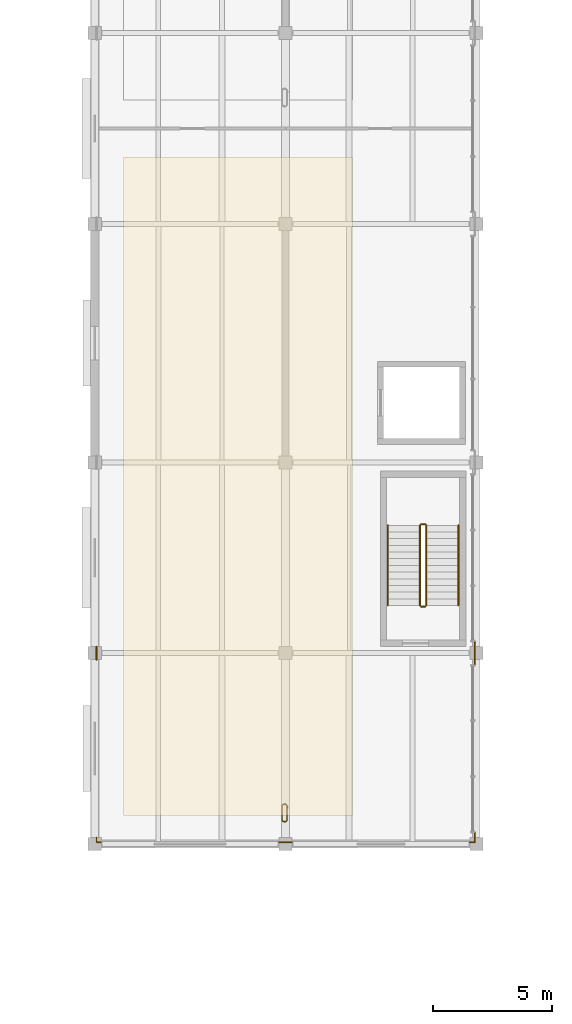
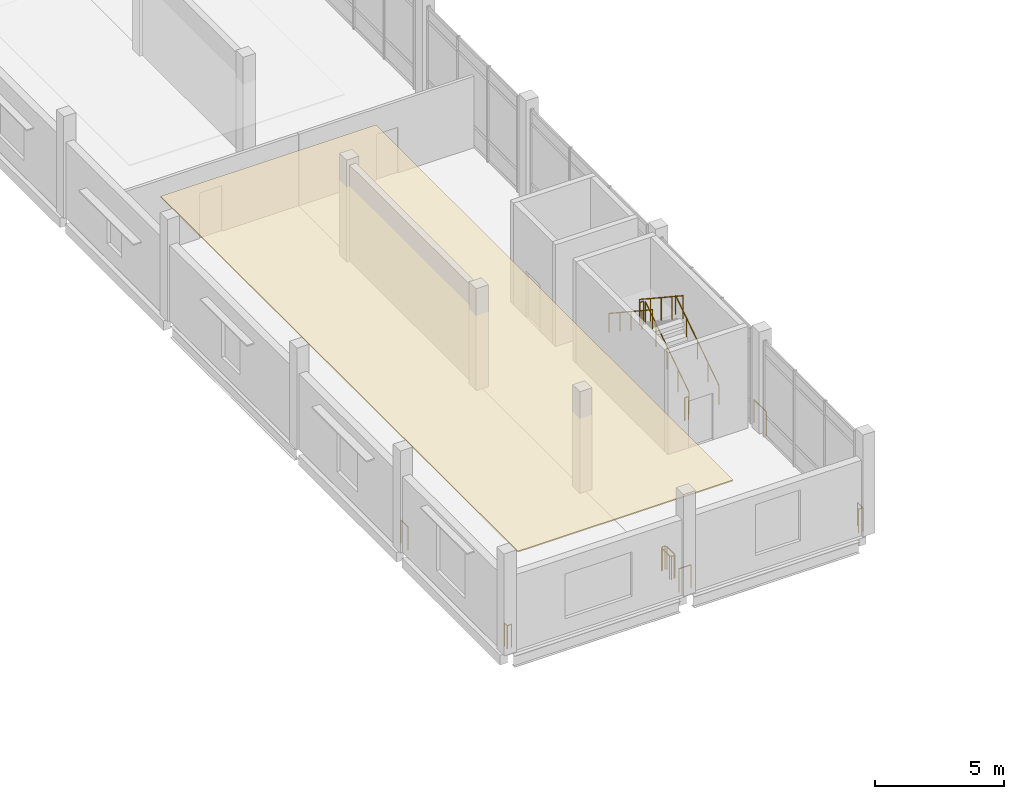
# One storey, part 39 of 47: 12 railings, 1 covering.
"""IFC4 building model written with IfcOpenShell, lengths in metres."""

from ifc_helpers import new_model, si_unit, direction, frame, origin, origin_2d, place, context, subcontext, project, spatial, polyline, circle, outline, extrude, material, layer, layer_set, type_object, element, save


model = new_model("IFC4")

# Units and contexts
model_context = context("Model", 3, precision=1e-05, world=origin(), true_north=direction((0.0, 1.0)))
body_context = subcontext(model_context, "Body", "Model", "MODEL_VIEW")
ifc_project = project(units=[si_unit("LENGTHUNIT", "METRE"), si_unit("AREAUNIT", "SQUARE_METRE"), si_unit("VOLUMEUNIT", "CUBIC_METRE"), si_unit("PLANEANGLEUNIT", "RADIAN"), si_unit("MASSUNIT", "GRAM", prefix="KILO")], contexts=[model_context])

# Site, building, storey
site_placement = place(None, origin())
site = spatial("IfcSite", under=ifc_project, at=site_placement, CompositionType="ELEMENT")
building_placement = place(site_placement, origin())
building = spatial("IfcBuilding", under=site, at=building_placement, Name="Pecanmere Concourse Central Library", CompositionType="ELEMENT")
storey_placement = place(building_placement, frame((0.0, 0.0, 15.300048828125)))
storey = spatial("IfcBuildingStorey", under=building, at=storey_placement, Name="L04", CompositionType="ELEMENT", Elevation=15.300048828125)

# Covering
ifc_material_1 = material(Name="Solid white oak architectural joinery")
ifc_layer = layer(ifc_material_1, 0.054931640625, Name="COV_CEIL_OAK_COFF")
ifc_layer_set = layer_set([ifc_layer], Name="Solid white oak architectural joinery")
covering_type = type_object("IfcCoveringType", Name="COV_CEIL_OAK_COFF", PredefinedType="CEILING", material=ifc_layer_set)
covering_placement = place(storey_placement, frame((0.0, 0.0, 3.469970703125)))
element("IfcCovering", 1, at=covering_placement, inside=storey, type_object=covering_type, Name="Acoustic Coffered Ceiling L04-017", PredefinedType="CEILING", context=body_context, shape_type="SweptSolid", body=[
    extrude(outline(polyline([(49.199951171875, 49.199951171875), (58.800048828125, 49.199951171875), (58.800048828125, 76.800048828125), (49.199951171875, 76.800048828125), (49.199951171875, 49.199951171875)])), origin(), (0.0, 0.0, 1.0), 0.054931640625),
])

# Railings
ifc_material_2 = material(Name="Architectural anodized bronze")
railing_type_1 = type_object("IfcRailingType", Name="RAIL_ATRIUM_BAL", PredefinedType="BALUSTRADE", material=ifc_material_2)
railing_1_placement = place(storey_placement, frame((63.929931640625, 56.47998046875, 0.0)))
element("IfcRailing", 2, at=railing_1_placement, inside=storey, type_object=railing_type_1, Name="Deck Edge Protective Balustrade L04-187", PredefinedType="BALUSTRADE", context=body_context, shape_type="SweptSolid", body=[
    extrude(circle(Radius=0.02392578125, at=origin_2d()), frame((0.0, 0.0, 1.09619140625), z_axis=(0.0, -1.0, 0.0), x_axis=(1.0, 0.0, 0.0)), (0.0, 0.0, 1.0), 0.9599609375),
    extrude(circle(Radius=0.02099609375, at=origin_2d()), origin(), (0.0, 0.0, 1.0), 1.072021484375),
    extrude(circle(Radius=0.02099609375, at=origin_2d()), frame((0.0, -0.9599609375, 0.0)), (0.0, 0.0, 1.0), 1.072021484375),
])
railing_2_placement = place(storey_placement, frame((63.929931640625, 48.47998046875, 0.0)))
element("IfcRailing", 3, at=railing_2_placement, inside=storey, type_object=railing_type_1, Name="Deck Edge Protective Balustrade L04-188", PredefinedType="BALUSTRADE", context=body_context, shape_type="SweptSolid", body=[
    extrude(circle(Radius=0.02392578125, at=origin_2d()), frame((0.0, 0.0, 1.09619140625), z_axis=(0.0, -1.0, 0.0), x_axis=(1.0, 0.0, 0.0)), (0.0, 0.0, 1.0), 0.40966796875),
    extrude(circle(Radius=0.02392578125, at=origin_2d()), frame((0.0, -0.40966796875, 1.09619140625), z_axis=(-1.0, 0.0, 0.0), x_axis=(0.0, -1.0, 0.0)), (0.0, 0.0, 1.0), 0.199951171875),
    extrude(circle(Radius=0.02099609375, at=origin_2d()), origin(), (0.0, 0.0, 1.0), 1.072021484375),
    extrude(circle(Radius=0.02099609375, at=origin_2d()), frame((0.0, -0.40966796875, 0.0)), (0.0, 0.0, 1.0), 1.072021484375),
    extrude(circle(Radius=0.02099609375, at=origin_2d()), frame((-0.199951171875, -0.40966796875, 0.0)), (0.0, 0.0, 1.0), 1.072021484375),
])
railing_3_placement = place(storey_placement, frame((56.27001953125, 48.070068359375, 0.0)))
element("IfcRailing", 4, at=railing_3_placement, inside=storey, type_object=railing_type_1, Name="Deck Edge Protective Balustrade L04-189", PredefinedType="BALUSTRADE", context=body_context, shape_type="SweptSolid", body=[
    extrude(circle(Radius=0.02392578125, at=origin_2d()), frame((0.0, 0.0, 1.09619140625), z_axis=(-1.0, 0.0, 0.0), x_axis=(0.0, -1.0, 0.0)), (0.0, 0.0, 1.0), 0.5400390625),
    extrude(circle(Radius=0.02099609375, at=origin_2d()), origin(), (0.0, 0.0, 1.0), 1.072021484375),
    extrude(circle(Radius=0.02099609375, at=origin_2d()), frame((-0.5400390625, 0.0, 0.0)), (0.0, 0.0, 1.0), 1.072021484375),
])
railing_4_placement = place(storey_placement, frame((48.27001953125, 48.070068359375, 0.0)))
element("IfcRailing", 5, at=railing_4_placement, inside=storey, type_object=railing_type_1, Name="Deck Edge Protective Balustrade L04-190", PredefinedType="BALUSTRADE", context=body_context, shape_type="SweptSolid", body=[
    extrude(circle(Radius=0.02392578125, at=origin_2d()), frame((0.0, 0.0, 1.09619140625), z_axis=(-1.0, 0.0, 0.0), x_axis=(0.0, -1.0, 0.0)), (0.0, 0.0, 1.0), 0.19970703125),
    extrude(circle(Radius=0.02392578125, at=origin_2d()), frame((-0.19970703125, 0.0, 1.09619140625), z_axis=(0.0, 1.0, 0.0), x_axis=(-1.0, 0.0, 0.0)), (0.0, 0.0, 1.0), 0.199951171875),
    extrude(circle(Radius=0.02099609375, at=origin_2d()), origin(), (0.0, 0.0, 1.0), 1.072021484375),
    extrude(circle(Radius=0.02099609375, at=origin_2d()), frame((-0.19970703125, 0.0, 0.0)), (0.0, 0.0, 1.0), 1.072021484375),
    extrude(circle(Radius=0.02099609375, at=origin_2d()), frame((-0.19970703125, 0.199951171875, 0.0)), (0.0, 0.0, 1.0), 1.072021484375),
])
railing_5_placement = place(storey_placement, frame((48.0703125, 55.72998046875, 0.0)))
element("IfcRailing", 6, at=railing_5_placement, inside=storey, type_object=railing_type_1, Name="Deck Edge Protective Balustrade L04-191", PredefinedType="BALUSTRADE", context=body_context, shape_type="SweptSolid", body=[
    extrude(circle(Radius=0.02392578125, at=origin_2d()), frame((0.0, 0.0, 1.09619140625), z_axis=(0.0, 1.0, 0.0), x_axis=(-1.0, 0.0, 0.0)), (0.0, 0.0, 1.0), 0.5400390625),
    extrude(circle(Radius=0.02099609375, at=origin_2d()), origin(), (0.0, 0.0, 1.0), 1.072021484375),
    extrude(circle(Radius=0.02099609375, at=origin_2d()), frame((0.0, 0.5400390625, 0.0)), (0.0, 0.0, 1.0), 1.072021484375),
])
railing_6_placement = place(storey_placement, frame((55.996826171875, 48.930419921875, 0.0)))
element("IfcRailing", 7, at=railing_6_placement, inside=storey, type_object=railing_type_1, Name="Deck Edge Protective Balustrade L04-196", PredefinedType="BALUSTRADE", context=body_context, shape_type="SweptSolid", body=[
    extrude(circle(Radius=0.02392578125, at=origin_2d()), frame((0.0, 0.0, 1.09619140625), z_axis=(0.806311430369, 0.591491231767, 0.0), x_axis=(-0.591491231767, 0.806311430369, 0.0)), (0.0, 0.0, 1.0), 0.0830078125),
    extrude(circle(Radius=0.02392578125, at=origin_2d()), frame((0.06689453125, 0.049072265625, 1.09619140625), z_axis=(0.009489489668, 0.999954973779, 0.0), x_axis=(-0.999954973779, 0.009489489668, 0.0)), (0.0, 0.0, 1.0), 0.617431640625),
    extrude(circle(Radius=0.02392578125, at=origin_2d()), frame((0.07275390625, 0.66650390625, 1.09619140625), z_axis=(-0.591491231767, 0.806311430369, 0.0), x_axis=(-0.806311430369, -0.591491231767, 0.0)), (0.0, 0.0, 1.0), 0.0830078125),
    extrude(circle(Radius=0.02392578125, at=origin_2d()), frame((0.023681640625, 0.7333984375, 1.09619140625), z_axis=(-0.998195860289, 0.060041856258, 0.0), x_axis=(-0.060041856258, -0.998195860289, 0.0)), (0.0, 0.0, 1.0), 0.09765625),
    extrude(circle(Radius=0.02392578125, at=origin_2d()), frame((-0.07373046875, 0.7392578125, 1.09619140625), z_axis=(-0.806311430369, -0.591491231767, 0.0), x_axis=(0.591491231767, -0.806311430369, 0.0)), (0.0, 0.0, 1.0), 0.0830078125),
    extrude(circle(Radius=0.02392578125, at=origin_2d()), frame((-0.140625, 0.690185546875, 1.09619140625), z_axis=(-0.009489489668, -0.999954973779, 0.0), x_axis=(0.999954973779, -0.009489489668, 0.0)), (0.0, 0.0, 1.0), 0.617431640625),
    extrude(circle(Radius=0.02392578125, at=origin_2d()), frame((-0.146484375, 0.07275390625, 1.09619140625), z_axis=(0.591491231767, -0.806311430369, 0.0), x_axis=(0.806311430369, 0.591491231767, 0.0)), (0.0, 0.0, 1.0), 0.0830078125),
    extrude(circle(Radius=0.02392578125, at=origin_2d()), frame((-0.097412109375, 0.005859375, 1.09619140625), z_axis=(0.998195860289, -0.060041856258, 0.0), x_axis=(0.060041856258, 0.998195860289, 0.0)), (0.0, 0.0, 1.0), 0.09765625),
    extrude(circle(Radius=0.02099609375, at=origin_2d()), origin(), (0.0, 0.0, 1.0), 1.072021484375),
    extrude(circle(Radius=0.02099609375, at=origin_2d()), frame((0.06689453125, 0.049072265625, 0.0)), (0.0, 0.0, 1.0), 1.072021484375),
    extrude(circle(Radius=0.02099609375, at=origin_2d()), frame((0.07275390625, 0.66650390625, 0.0)), (0.0, 0.0, 1.0), 1.072021484375),
    extrude(circle(Radius=0.02099609375, at=origin_2d()), frame((0.023681640625, 0.7333984375, 0.0)), (0.0, 0.0, 1.0), 1.072021484375),
    extrude(circle(Radius=0.02099609375, at=origin_2d()), frame((-0.07373046875, 0.7392578125, 0.0)), (0.0, 0.0, 1.0), 1.072021484375),
    extrude(circle(Radius=0.02099609375, at=origin_2d()), frame((-0.140625, 0.690185546875, 0.0)), (0.0, 0.0, 1.0), 1.072021484375),
    extrude(circle(Radius=0.02099609375, at=origin_2d()), frame((-0.146484375, 0.07275390625, 0.0)), (0.0, 0.0, 1.0), 1.072021484375),
    extrude(circle(Radius=0.02099609375, at=origin_2d()), frame((-0.097412109375, 0.005859375, 0.0)), (0.0, 0.0, 1.0), 1.072021484375),
])
ifc_material_3 = material(Name="Painted architectural steel ASTM A36", Category="steel")
railing_type_2 = type_object("IfcRailingType", Name="RAIL_STAIR_GUARD", PredefinedType="GUARDRAIL", material=ifc_material_3)
railing_7_placement = place(storey_placement, frame((61.89990234375, 58.0, 0.1845703125)))
element("IfcRailing", 8, at=railing_7_placement, inside=storey, type_object=railing_type_2, Name="L04 ST-06 Guard 1", PredefinedType="GUARDRAIL", context=body_context, shape_type="SweptSolid", body=[
    extrude(circle(Radius=0.02392578125, at=origin_2d()), frame((0.0, 0.0, 1.076171875), z_axis=(0.0, 0.834876476806, 0.550437342915), x_axis=(-1.0, 0.0, 0.0)), (0.0, 0.0, 1.0), 4.024658203125),
    extrude(circle(Radius=0.02099609375, at=origin_2d()), origin(), (0.0, 0.0, 1.0), 1.052001953125),
    extrude(circle(Radius=0.02099609375, at=origin_2d()), frame((0.0, 0.840087890625, 0.5537109375)), (0.0, 0.0, 1.0), 1.052001953125),
    extrude(circle(Radius=0.02099609375, at=origin_2d()), frame((0.0, 1.68017578125, 1.107666015625)), (0.0, 0.0, 1.0), 1.052001953125),
    extrude(circle(Radius=0.02099609375, at=origin_2d()), frame((0.0, 2.52001953125, 1.66162109375)), (0.0, 0.0, 1.0), 1.052001953125),
    extrude(circle(Radius=0.02099609375, at=origin_2d()), frame((0.0, 3.360107421875, 2.21533203125)), (0.0, 0.0, 1.0), 1.052001953125),
])
railing_8_placement = place(storey_placement, frame((61.85009765625, 61.409912109375, 2.39990234375)))
element("IfcRailing", 9, at=railing_8_placement, inside=storey, type_object=railing_type_2, Name="L04 ST-06 Guard 2", PredefinedType="GUARDRAIL", context=body_context, shape_type="SweptSolid", body=[
    extrude(circle(Radius=0.02392578125, at=origin_2d()), frame((0.0, 0.0, 1.076171875), z_axis=(-1.0, 0.0, 0.0), x_axis=(0.0, -1.0, 0.0)), (0.0, 0.0, 1.0), 0.16015625),
    extrude(circle(Radius=0.02099609375, at=origin_2d()), origin(), (0.0, 0.0, 1.0), 1.052001953125),
    extrude(circle(Radius=0.02099609375, at=origin_2d()), frame((-0.16015625, 0.0, 0.0)), (0.0, 0.0, 1.0), 1.052001953125),
])
railing_9_placement = place(storey_placement, frame((61.639892578125, 61.360107421875, 2.58447265625)))
element("IfcRailing", 10, at=railing_9_placement, inside=storey, type_object=railing_type_2, Name="L04 ST-06 Guard 3", PredefinedType="GUARDRAIL", context=body_context, shape_type="SweptSolid", body=[
    extrude(circle(Radius=0.02392578125, at=origin_2d()), frame((0.0, 0.0, 1.076171875), z_axis=(0.0, -0.834848600103, 0.550479622607), x_axis=(1.0, 0.0, 0.0)), (0.0, 0.0, 1.0), 4.02490234375),
    extrude(circle(Radius=0.02099609375, at=origin_2d()), origin(), (0.0, 0.0, 1.0), 1.052001953125),
    extrude(circle(Radius=0.02099609375, at=origin_2d()), frame((0.0, -0.840087890625, 0.553955078125)), (0.0, 0.0, 1.0), 1.052001953125),
    extrude(circle(Radius=0.02099609375, at=origin_2d()), frame((0.0, -1.68017578125, 1.10791015625)), (0.0, 0.0, 1.0), 1.052001953125),
    extrude(circle(Radius=0.02099609375, at=origin_2d()), frame((0.0, -2.52001953125, 1.66162109375)), (0.0, 0.0, 1.0), 1.052001953125),
    extrude(circle(Radius=0.02099609375, at=origin_2d()), frame((0.0, -3.360107421875, 2.215576171875)), (0.0, 0.0, 1.0), 1.052001953125),
])
railing_10_placement = place(storey_placement, frame((61.85009765625, 57.949951171875, 0.0)))
element("IfcRailing", 11, at=railing_10_placement, inside=storey, type_object=railing_type_2, Name="L04 ST-06 Guard 4", PredefinedType="GUARDRAIL", context=body_context, shape_type="SweptSolid", body=[
    extrude(circle(Radius=0.02392578125, at=origin_2d()), frame((0.0, 0.0, 1.076171875), z_axis=(-1.0, 0.0, 0.0), x_axis=(0.0, -1.0, 0.0)), (0.0, 0.0, 1.0), 0.16015625),
    extrude(circle(Radius=0.02099609375, at=origin_2d()), origin(), (0.0, 0.0, 1.0), 1.052001953125),
    extrude(circle(Radius=0.02099609375, at=origin_2d()), frame((-0.16015625, 0.0, 0.0)), (0.0, 0.0, 1.0), 1.052001953125),
])
ifc_material_4 = material(Name="Brushed stainless steel Grade 316", Category="steel")
railing_type_3 = type_object("IfcRailingType", Name="RAIL_STAIR_HR", PredefinedType="HANDRAIL", material=ifc_material_4)
railing_11_placement = place(storey_placement, frame((63.25, 58.0, 0.1845703125)))
element("IfcRailing", 12, at=railing_11_placement, inside=storey, type_object=railing_type_3, Name="L04 ST-06 Handrail 1", PredefinedType="HANDRAIL", context=body_context, shape_type="SweptSolid", body=[
    extrude(circle(Radius=0.02392578125, at=origin_2d()), frame((0.0, 0.0, 0.89111328125), z_axis=(0.0, 0.834876476806, 0.550437342915), x_axis=(-1.0, 0.0, 0.0)), (0.0, 0.0, 1.0), 4.024658203125),
    extrude(circle(Radius=0.02099609375, at=origin_2d()), origin(), (0.0, 0.0, 1.0), 0.866943359375),
    extrude(circle(Radius=0.02099609375, at=origin_2d()), frame((0.0, 0.840087890625, 0.5537109375)), (0.0, 0.0, 1.0), 0.866943359375),
    extrude(circle(Radius=0.02099609375, at=origin_2d()), frame((0.0, 1.68017578125, 1.107666015625)), (0.0, 0.0, 1.0), 0.866943359375),
    extrude(circle(Radius=0.02099609375, at=origin_2d()), frame((0.0, 2.52001953125, 1.66162109375)), (0.0, 0.0, 1.0), 0.866943359375),
    extrude(circle(Radius=0.02099609375, at=origin_2d()), frame((0.0, 3.360107421875, 2.21533203125)), (0.0, 0.0, 1.0), 0.866943359375),
])
railing_12_placement = place(storey_placement, frame((60.2900390625, 61.360107421875, 2.58447265625)))
element("IfcRailing", 13, at=railing_12_placement, inside=storey, type_object=railing_type_3, Name="L04 ST-06 Handrail 2", PredefinedType="HANDRAIL", context=body_context, shape_type="SweptSolid", body=[
    extrude(circle(Radius=0.02392578125, at=origin_2d()), frame((0.0, 0.0, 0.89111328125), z_axis=(0.0, -0.834848600103, 0.550479622607), x_axis=(1.0, 0.0, 0.0)), (0.0, 0.0, 1.0), 4.02490234375),
    extrude(circle(Radius=0.02099609375, at=origin_2d()), origin(), (0.0, 0.0, 1.0), 0.866943359375),
    extrude(circle(Radius=0.02099609375, at=origin_2d()), frame((0.0, -0.840087890625, 0.553955078125)), (0.0, 0.0, 1.0), 0.866943359375),
    extrude(circle(Radius=0.02099609375, at=origin_2d()), frame((0.0, -1.68017578125, 1.10791015625)), (0.0, 0.0, 1.0), 0.866943359375),
    extrude(circle(Radius=0.02099609375, at=origin_2d()), frame((0.0, -2.52001953125, 1.66162109375)), (0.0, 0.0, 1.0), 0.866943359375),
    extrude(circle(Radius=0.02099609375, at=origin_2d()), frame((0.0, -3.360107421875, 2.215576171875)), (0.0, 0.0, 1.0), 0.866943359375),
])

save(model, "model.ifc")
